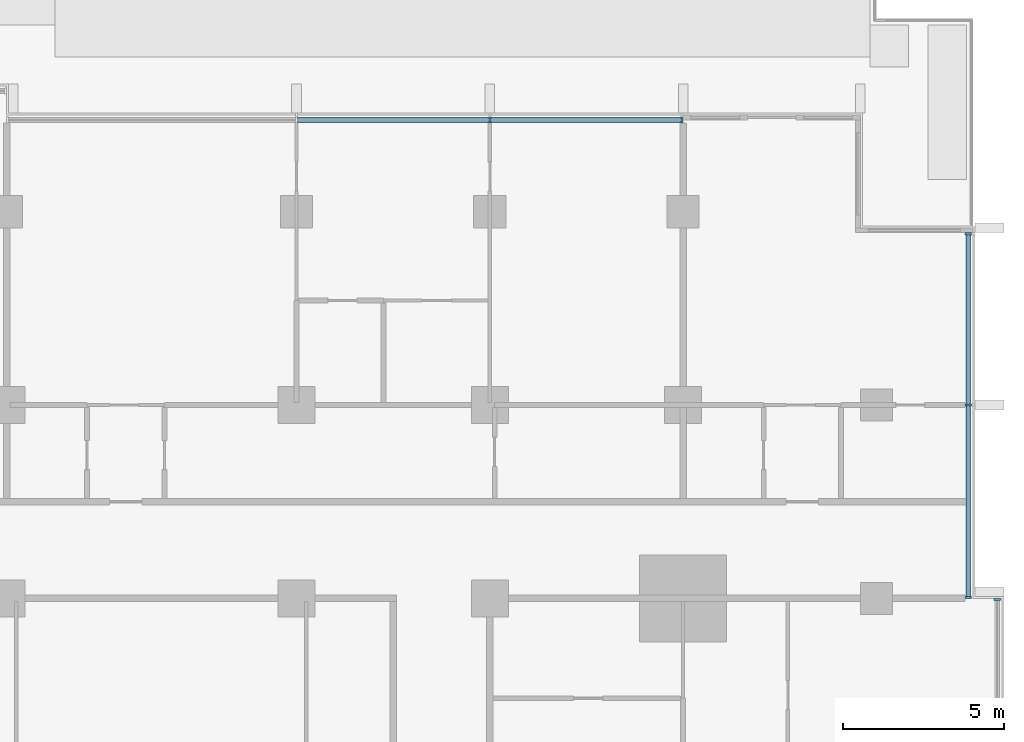
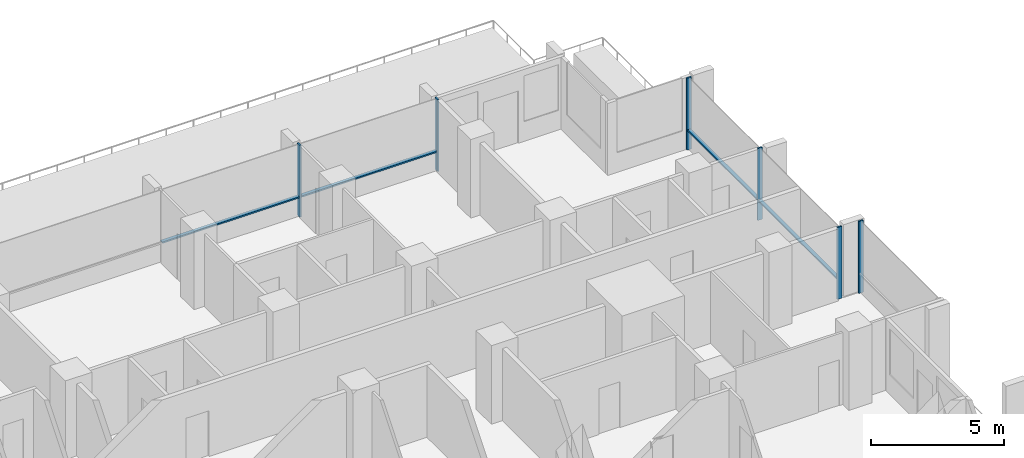
# One storey, part 5 of 19: 10 members, 3 elements without a shape of their own.
"""IFC4 building model written with IfcOpenShell, lengths in metres."""

from ifc_helpers import new_model, si_unit, direction, frame, origin, origin_2d, place, context, subcontext, project, spatial, rectangle, extrude, material, material_profile, profile_set, type_object, element, aggregate, save


model = new_model("IFC4")

# Units and contexts
model_context = context("Model", 3, precision=1e-05, world=origin(), true_north=direction((0.0, 1.0)))
body_context = subcontext(model_context, "Body", "Model", "MODEL_VIEW")
ifc_project = project(units=[si_unit("LENGTHUNIT", "METRE"), si_unit("AREAUNIT", "SQUARE_METRE"), si_unit("VOLUMEUNIT", "CUBIC_METRE"), si_unit("PLANEANGLEUNIT", "RADIAN"), si_unit("MASSUNIT", "GRAM", prefix="KILO")], contexts=[model_context])

# Site, building, storey
site_placement = place(None, origin())
site = spatial("IfcSite", under=ifc_project, at=site_placement, CompositionType="ELEMENT")
building_placement = place(site_placement, origin())
building = spatial("IfcBuilding", under=site, at=building_placement, Name="Finial Court Residences", CompositionType="ELEMENT")
storey_placement = place(building_placement, frame((0.0, 0.0, 81.10009765625)))
storey = spatial("IfcBuildingStorey", under=building, at=storey_placement, Name="L19", CompositionType="ELEMENT", Elevation=81.10009765625)

# Curtain wall, members
ifc_material = material(Name="Bronze anodised aluminium", Category="aluminium")
curtain_wall_type = type_object("IfcCurtainWallType", Name="Unitised curtain wall, lower and middle zones", PredefinedType="NOTDEFINED", material=ifc_material)
curtain_wall_1_placement = place(storey_placement, origin())
curtain_wall_1 = element("IfcCurtainWall", 1, at=curtain_wall_1_placement, inside=storey, type_object=curtain_wall_type, Name="E-L19-CW-N2", PredefinedType="NOTDEFINED")
ifc_material_profile_1 = material_profile(ifc_material, rectangle(XDim=0.199951171875, YDim=0.06494140625, at=origin_2d()), Name="CW1 mullion 65 x 200")
ifc_profile_set_1 = profile_set([ifc_material_profile_1], Name="Bronze anodised aluminium")
member_type_1 = type_object("IfcMemberType", Name="CW1 mullion 65 x 200", PredefinedType="MULLION", material=ifc_profile_set_1)
member_1_placement = place(storey_placement, frame((10.5, 22.35009765625, 0.0), z_axis=(0.0, 0.0, 1.0), x_axis=(0.0, 1.0, 0.0)))
member_1 = element("IfcMember", 2, at=member_1_placement, type_object=member_type_1, Name="CW1 mullion 3", PredefinedType="MULLION", context=body_context, shape_type="SweptSolid", body=[
    extrude(rectangle(XDim=0.199951171875, YDim=0.06494140625, at=origin_2d()), origin(), (0.0, 0.0, 1.0), 3.2998046875),
])
member_2_placement = place(storey_placement, frame((16.467529296875, 22.35009765625, 0.0), z_axis=(0.0, 0.0, 1.0), x_axis=(0.0, 1.0, 0.0)))
member_2 = element("IfcMember", 3, at=member_2_placement, type_object=member_type_1, Name="CW1 mullion 4", PredefinedType="MULLION", context=body_context, shape_type="SweptSolid", body=[
    extrude(rectangle(XDim=0.199951171875, YDim=0.06494140625, at=origin_2d()), origin(), (0.0, 0.0, 1.0), 3.2998046875),
])

# Curtain wall, member
curtain_wall_2_placement = place(storey_placement, origin())
curtain_wall_2 = element("IfcCurtainWall", 4, at=curtain_wall_2_placement, inside=storey, type_object=curtain_wall_type, Name="E-L19-CW-E4", PredefinedType="NOTDEFINED")
member_3_placement = place(storey_placement, frame((26.25, 7.467529296875, 0.0), z_axis=(0.0, 0.0, 1.0), x_axis=(-1.0, 0.0, 0.0)))
member_3 = element("IfcMember", 5, at=member_3_placement, type_object=member_type_1, Name="CW1 mullion 2", PredefinedType="MULLION", context=body_context, shape_type="SweptSolid", body=[
    extrude(rectangle(XDim=0.199951171875, YDim=0.06494140625, at=origin_2d()), origin(), (0.0, 0.0, 1.0), 3.2998046875),
])
aggregate(curtain_wall_2, [member_3])

# Curtain wall, members
curtain_wall_3_placement = place(storey_placement, origin())
curtain_wall_3 = element("IfcCurtainWall", 6, at=curtain_wall_3_placement, inside=storey, type_object=curtain_wall_type, Name="E-L19-CW-E5", PredefinedType="NOTDEFINED")
member_4_placement = place(storey_placement, frame((25.35009765625, 7.532470703125, 0.0), z_axis=(0.0, 0.0, 1.0), x_axis=(-1.0, 0.0, 0.0)))
member_4 = element("IfcMember", 7, at=member_4_placement, type_object=member_type_1, Name="CW1 mullion 1", PredefinedType="MULLION", context=body_context, shape_type="SweptSolid", body=[
    extrude(rectangle(XDim=0.199951171875, YDim=0.06494140625, at=origin_2d()), origin(), (0.0, 0.0, 1.0), 3.2998046875),
])
member_5_placement = place(storey_placement, frame((25.35009765625, 13.5, 0.0), z_axis=(0.0, 0.0, 1.0), x_axis=(-1.0, 0.0, 0.0)))
member_5 = element("IfcMember", 8, at=member_5_placement, type_object=member_type_1, Name="CW1 mullion 2", PredefinedType="MULLION", context=body_context, shape_type="SweptSolid", body=[
    extrude(rectangle(XDim=0.199951171875, YDim=0.06494140625, at=origin_2d()), origin(), (0.0, 0.0, 1.0), 3.2998046875),
])
member_6_placement = place(storey_placement, frame((25.35009765625, 18.8173828125, 0.0), z_axis=(0.0, 0.0, 1.0), x_axis=(-1.0, 0.0, 0.0)))
member_6 = element("IfcMember", 9, at=member_6_placement, type_object=member_type_1, Name="CW1 mullion 3", PredefinedType="MULLION", context=body_context, shape_type="SweptSolid", body=[
    extrude(rectangle(XDim=0.199951171875, YDim=0.06494140625, at=origin_2d()), origin(), (0.0, 0.0, 1.0), 3.2998046875),
])

# Member
ifc_material_profile_2 = material_profile(ifc_material, rectangle(XDim=0.14990234375, YDim=0.06494140625, at=origin_2d()), Name="CW1 transom 65 x 150")
ifc_profile_set_2 = profile_set([ifc_material_profile_2], Name="Bronze anodised aluminium")
member_type_2 = type_object("IfcMemberType", Name="CW1 transom 65 x 150", PredefinedType="USERDEFINED", material=ifc_profile_set_2)
member_7_placement = place(storey_placement, frame((4.532470703125, 22.35009765625, 0.89990234375), z_axis=(1.0, 0.0, 0.0), x_axis=(0.0, 1.0, 0.0)))
member_7 = element("IfcMember", 10, at=member_7_placement, type_object=member_type_2, Name="CW1 transom 2.1", ObjectType="TRANSOM", PredefinedType="USERDEFINED", context=body_context, shape_type="SweptSolid", body=[
    extrude(rectangle(XDim=0.14990234375, YDim=0.06494140625, at=origin_2d()), origin(), (0.0, 0.0, 1.0), 5.93505859375),
])

member_8_placement = place(storey_placement, frame((10.532470703125, 22.35009765625, 0.89990234375), z_axis=(1.0, 0.0, 0.0), x_axis=(0.0, 1.0, 0.0)))
member_8 = element("IfcMember", 11, at=member_8_placement, type_object=member_type_2, Name="CW1 transom 3.1", ObjectType="TRANSOM", PredefinedType="USERDEFINED", context=body_context, shape_type="SweptSolid", body=[
    extrude(rectangle(XDim=0.14990234375, YDim=0.06494140625, at=origin_2d()), origin(), (0.0, 0.0, 1.0), 5.902587890625),
])

aggregate(curtain_wall_1, [member_1, member_2, member_7, member_8])

member_9_placement = place(storey_placement, frame((25.35009765625, 7.56494140625, 0.89990234375), z_axis=(0.0, 1.0, 0.0), x_axis=(-1.0, 0.0, 0.0)))
member_9 = element("IfcMember", 12, at=member_9_placement, type_object=member_type_2, Name="CW1 transom 1.1", ObjectType="TRANSOM", PredefinedType="USERDEFINED", context=body_context, shape_type="SweptSolid", body=[
    extrude(rectangle(XDim=0.14990234375, YDim=0.06494140625, at=origin_2d()), origin(), (0.0, 0.0, 1.0), 5.902587890625),
])

member_10_placement = place(storey_placement, frame((25.35009765625, 13.532470703125, 0.89990234375), z_axis=(0.0, 1.0, 0.0), x_axis=(-1.0, 0.0, 0.0)))
member_10 = element("IfcMember", 13, at=member_10_placement, type_object=member_type_2, Name="CW1 transom 2.1", ObjectType="TRANSOM", PredefinedType="USERDEFINED", context=body_context, shape_type="SweptSolid", body=[
    extrude(rectangle(XDim=0.14990234375, YDim=0.06494140625, at=origin_2d()), origin(), (0.0, 0.0, 1.0), 5.25244140625),
])

aggregate(curtain_wall_3, [member_4, member_5, member_6, member_9, member_10])

save(model, "model.ifc")
